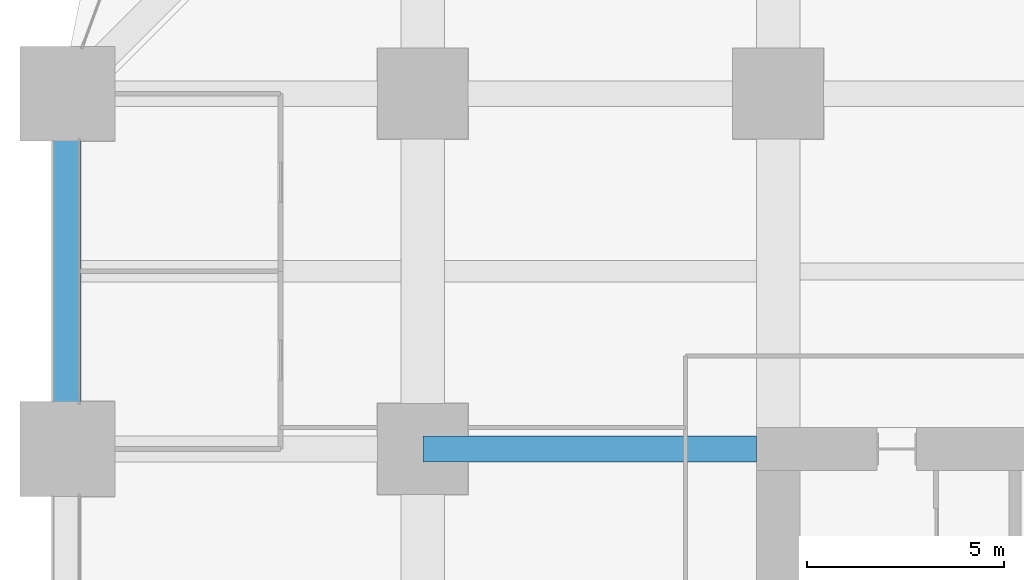
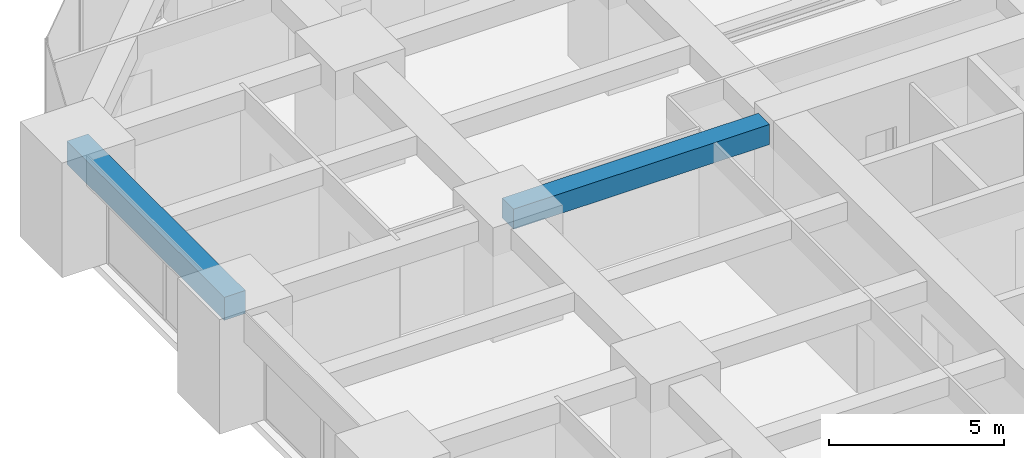
# One storey, part 24 of 44: 2 beams.
"""IFC4 building model written with IfcOpenShell, lengths in metres."""

from ifc_helpers import new_model, si_unit, direction, frame, origin, origin_2d, place, context, subcontext, project, spatial, rectangle, extrude, material, material_profile, profile_set, type_object, element, save


model = new_model("IFC4")

# Units and contexts
model_context = context("Model", 3, precision=1e-05, world=origin(), true_north=direction((0.0, 1.0)))
body_context = subcontext(model_context, "Body", "Model", "MODEL_VIEW")
ifc_project = project(units=[si_unit("LENGTHUNIT", "METRE"), si_unit("AREAUNIT", "SQUARE_METRE"), si_unit("VOLUMEUNIT", "CUBIC_METRE"), si_unit("PLANEANGLEUNIT", "RADIAN"), si_unit("MASSUNIT", "GRAM", prefix="KILO")], contexts=[model_context])

# Site, building, storey
site_placement = place(None, origin())
site = spatial("IfcSite", under=ifc_project, at=site_placement, CompositionType="ELEMENT")
building_placement = place(site_placement, origin())
building = spatial("IfcBuilding", under=site, at=building_placement, Name="Zorevar Civic Tower", CompositionType="ELEMENT")
storey_placement = place(building_placement, frame((0.0, 0.0, 35.800048828125)))
storey = spatial("IfcBuildingStorey", under=building, at=storey_placement, Name="L08", CompositionType="ELEMENT", Elevation=35.800048828125)

# Beams
ifc_material_1 = material(Name="Concrete C50/60", Category="concrete")
ifc_material_profile_1 = material_profile(ifc_material_1, rectangle(XDim=0.64990234375, YDim=0.699951171875, at=origin_2d()), Name="RC 650x700")
ifc_profile_set_1 = profile_set([ifc_material_profile_1], Name="Concrete C50/60")
beam_type_1 = type_object("IfcBeamType", Name="Beam RC 650x700", PredefinedType="BEAM", material=ifc_profile_set_1)
beam_1_placement = place(storey_placement, frame((9.0, 36.0, 3.39990234375), z_axis=(1.0, 0.0, 0.0), x_axis=(0.0, 1.0, 0.0)))
element("IfcBeam", 1, at=beam_1_placement, inside=storey, type_object=beam_type_1, Name="Girder L09", PredefinedType="BEAM", context=body_context, shape_type="SweptSolid", body=[
    extrude(rectangle(XDim=0.64990234375, YDim=0.699951171875, at=origin_2d()), origin(), (0.0, 0.0, 1.0), 8.449951171875),
])
ifc_material_2 = material(Name="Concrete C50/60", Category="concrete")
ifc_material_profile_2 = material_profile(ifc_material_2, rectangle(XDim=0.699951171875, YDim=0.800048828125, at=origin_2d()), Name="RC 700x800")
ifc_profile_set_2 = profile_set([ifc_material_profile_2], Name="Concrete C50/60")
beam_type_2 = type_object("IfcBeamType", Name="Edge beam RC 700x800", PredefinedType="SPANDREL", material=ifc_profile_set_2)
beam_2_placement = place(storey_placement, frame((0.0, 36.0, 3.349853515625), z_axis=(0.0, 1.0, 0.0), x_axis=(-1.0, 0.0, 0.0)))
element("IfcBeam", 2, at=beam_2_placement, inside=storey, type_object=beam_type_2, Name="Edge beam L09", PredefinedType="SPANDREL", context=body_context, shape_type="SweptSolid", body=[
    extrude(rectangle(XDim=0.699951171875, YDim=0.800048828125, at=origin_2d()), origin(), (0.0, 0.0, 1.0), 9.0),
])

save(model, "model.ifc")
